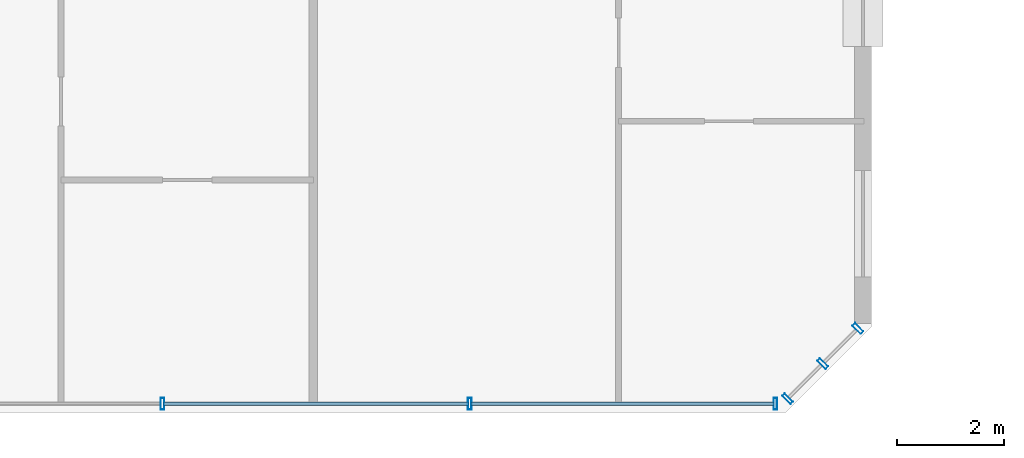
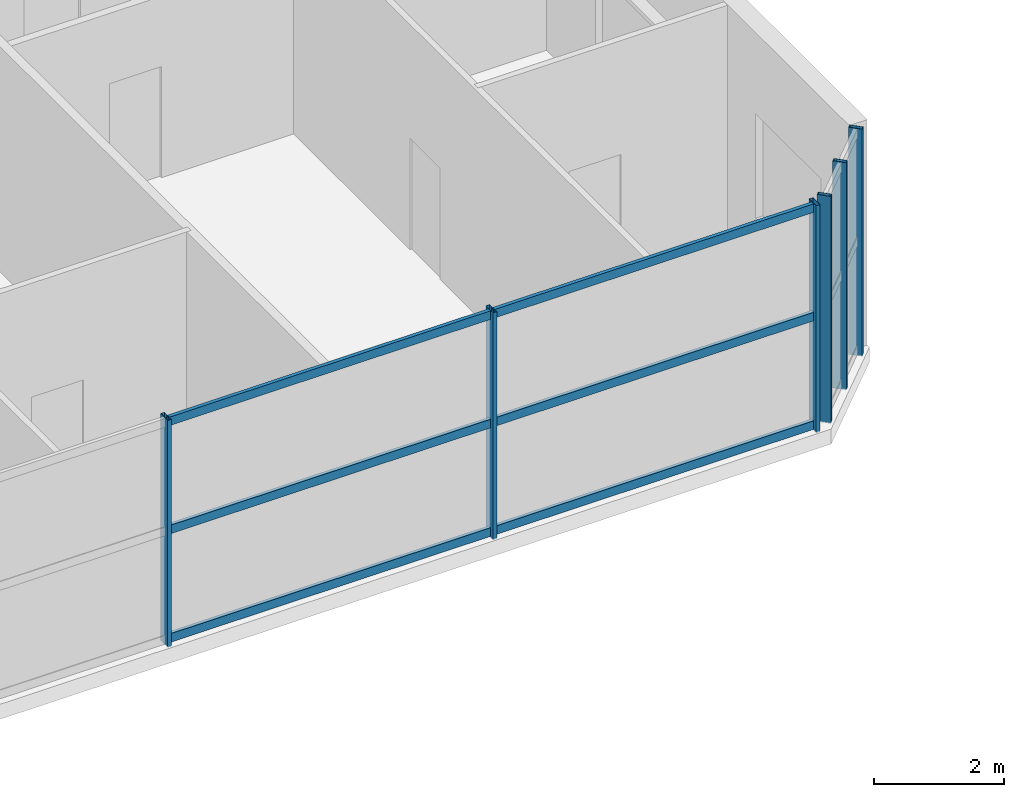
# One storey, part 6 of 20: 12 members, 2 elements without a shape of their own.
"""IFC4 building model written with IfcOpenShell, lengths in metres."""

from ifc_helpers import new_model, si_unit, direction, frame, origin, origin_2d, place, context, subcontext, project, spatial, hollow_rectangle, extrude, source, transform, mapped, material, material_profile, profile_set, type_object, element, aggregate, save


model = new_model("IFC4")

# Units and contexts
model_context = context("Model", 3, precision=1e-05, world=origin(), true_north=direction((0.0, 1.0)))
body_context = subcontext(model_context, "Body", "Model", "MODEL_VIEW")
ifc_project = project(units=[si_unit("LENGTHUNIT", "METRE"), si_unit("AREAUNIT", "SQUARE_METRE"), si_unit("VOLUMEUNIT", "CUBIC_METRE"), si_unit("PLANEANGLEUNIT", "RADIAN"), si_unit("MASSUNIT", "GRAM", prefix="KILO")], contexts=[model_context])

# Site, building, storey
site_placement = place(None, origin())
site = spatial("IfcSite", under=ifc_project, at=site_placement, CompositionType="ELEMENT")
building_placement = place(site_placement, origin())
building = spatial("IfcBuilding", under=site, at=building_placement, Name="Tlacorven Tower", CompositionType="ELEMENT")
storey_placement = place(building_placement, frame((0.0, 0.0, 195.0)))
storey = spatial("IfcBuildingStorey", under=building, at=storey_placement, Name="L49", CompositionType="ELEMENT", Elevation=195.0)

# Curtain wall, members
ifc_material_1 = material(Name="Dark solar low-E double glazing in aluminium frame", Category="aluminium")
curtain_wall_type = type_object("IfcCurtainWallType", Name="CW-COM-AMENITY", PredefinedType="USERDEFINED", material=ifc_material_1)
curtain_wall_1_placement = place(storey_placement, origin())
curtain_wall_1 = element("IfcCurtainWall", 1, at=curtain_wall_1_placement, inside=storey, type_object=curtain_wall_type, Name="L49 CW-COM-AMENITY Curtain Wall 224", ObjectType="UNITISED CURTAIN WALL", PredefinedType="USERDEFINED")
ifc_material_2 = material(Name="Aluminium 6063-T6 anodised", Category="aluminium")
ifc_material_profile_1 = material_profile(ifc_material_2, hollow_rectangle(XDim=0.070068359375, YDim=0.219970703125, WallThickness=0.0048828125, at=origin_2d()), Name="ALU MULLION 70X220")
ifc_profile_set_1 = profile_set([ifc_material_profile_1], Name="Aluminium 6063-T6 anodised")
member_type_1 = type_object("IfcMemberType", Name="CWM-01", PredefinedType="MULLION", material=ifc_profile_set_1)
shared_shape_1 = source(origin(), body_context, "Body", "SweptSolid", [
    extrude(hollow_rectangle(XDim=0.070068359375, YDim=0.219970703125, WallThickness=0.0048828125, at=origin_2d()), origin(), (0.0, 0.0, 1.0), 4.25),
])
member_1_placement = place(storey_placement, frame((52.14453125, 3.370849609375, -0.02001953125), z_axis=(0.0, 0.0, 1.0), x_axis=(-0.707106781187, -0.707106781187, 0.0)))
member_1 = element("IfcMember", 2, at=member_1_placement, type_object=member_type_1, Name="CW-L49-224 Mullion 1", PredefinedType="MULLION", context=body_context, shape_type="MappedRepresentation", body=[
    mapped(shared_shape_1, transform((0.0, 0.0, 0.0), scale=1.0)),
])
member_2_placement = place(storey_placement, frame((51.48681640625, 2.713134765625, -0.02001953125), z_axis=(0.0, 0.0, 1.0), x_axis=(-0.707106781187, -0.707106781187, 0.0)))
member_2 = element("IfcMember", 3, at=member_2_placement, type_object=member_type_1, Name="CW-L49-224 Mullion 2", PredefinedType="MULLION", context=body_context, shape_type="MappedRepresentation", body=[
    mapped(shared_shape_1, transform((0.0, 0.0, 0.0), scale=1.0)),
])
member_3_placement = place(storey_placement, frame((50.8291015625, 2.055419921875, -0.02001953125), z_axis=(0.0, 0.0, 1.0), x_axis=(-0.707106781187, -0.707106781187, 0.0)))
member_3 = element("IfcMember", 4, at=member_3_placement, type_object=member_type_1, Name="CW-L49-224 Mullion 3", PredefinedType="MULLION", context=body_context, shape_type="MappedRepresentation", body=[
    mapped(shared_shape_1, transform((0.0, 0.0, 0.0), scale=1.0)),
])
aggregate(curtain_wall_1, [member_1, member_2, member_3])

curtain_wall_2_placement = place(storey_placement, origin())
curtain_wall_2 = element("IfcCurtainWall", 5, at=curtain_wall_2_placement, inside=storey, type_object=curtain_wall_type, Name="L49 CW-COM-AMENITY Curtain Wall 225", ObjectType="UNITISED CURTAIN WALL", PredefinedType="USERDEFINED")
member_4_placement = place(storey_placement, frame((50.5986328125, 1.9599609375, -0.02001953125), z_axis=(0.0, 0.0, 1.0), x_axis=(-1.0, 0.0, 0.0)))
member_4 = element("IfcMember", 6, at=member_4_placement, type_object=member_type_1, Name="CW-L49-225 Mullion 1", PredefinedType="MULLION", context=body_context, shape_type="MappedRepresentation", body=[
    mapped(shared_shape_1, transform((0.0, 0.0, 0.0), scale=1.0)),
])
member_5_placement = place(storey_placement, frame((44.8779296875, 1.9599609375, -0.02001953125), z_axis=(0.0, 0.0, 1.0), x_axis=(-1.0, 0.0, 0.0)))
member_5 = element("IfcMember", 7, at=member_5_placement, type_object=member_type_1, Name="CW-L49-225 Mullion 2", PredefinedType="MULLION", context=body_context, shape_type="MappedRepresentation", body=[
    mapped(shared_shape_1, transform((0.0, 0.0, 0.0), scale=1.0)),
])
member_6_placement = place(storey_placement, frame((39.1220703125, 1.9599609375, -0.02001953125), z_axis=(0.0, 0.0, 1.0), x_axis=(-1.0, 0.0, 0.0)))
member_6 = element("IfcMember", 8, at=member_6_placement, type_object=member_type_1, Name="CW-L49-225 Mullion 3", PredefinedType="MULLION", context=body_context, shape_type="MappedRepresentation", body=[
    mapped(shared_shape_1, transform((0.0, 0.0, 0.0), scale=1.0)),
])
ifc_material_profile_2 = material_profile(ifc_material_2, hollow_rectangle(XDim=0.06494140625, YDim=0.159912109375, WallThickness=0.00390625, at=origin_2d()), Name="ALU TRANSOM 65X160")
ifc_profile_set_2 = profile_set([ifc_material_profile_2], Name="Aluminium 6063-T6 anodised")
member_type_2 = type_object("IfcMemberType", Name="CWT-01", PredefinedType="USERDEFINED", material=ifc_profile_set_2)
shared_shape_2 = source(origin(), body_context, "Body", "SweptSolid", [
    extrude(hollow_rectangle(XDim=0.06494140625, YDim=0.159912109375, WallThickness=0.00390625, at=origin_2d()), origin(), (0.0, 0.0, 1.0), 5.6748046875),
])
member_7_placement = place(storey_placement, frame((50.57568359375, 1.9599609375, 0.080078125), z_axis=(-1.0, 0.0, 0.0), x_axis=(0.0, -1.0, 0.0)))
member_7 = element("IfcMember", 9, at=member_7_placement, type_object=member_type_2, Name="CW-L49-225 Transom 1", ObjectType="TRANSOM", PredefinedType="USERDEFINED", context=body_context, shape_type="MappedRepresentation", body=[
    mapped(shared_shape_2, transform((0.0, 0.0, 0.0), scale=1.0)),
])
member_8_placement = place(storey_placement, frame((50.57568359375, 1.9599609375, 2.110107421875), z_axis=(-1.0, 0.0, 0.0), x_axis=(0.0, -1.0, 0.0)))
member_8 = element("IfcMember", 10, at=member_8_placement, type_object=member_type_2, Name="CW-L49-225 Transom 2", ObjectType="TRANSOM", PredefinedType="USERDEFINED", context=body_context, shape_type="MappedRepresentation", body=[
    mapped(shared_shape_2, transform((0.0, 0.0, 0.0), scale=1.0)),
])
member_9_placement = place(storey_placement, frame((50.57568359375, 1.9599609375, 4.139892578125), z_axis=(-1.0, 0.0, 0.0), x_axis=(0.0, -1.0, 0.0)))
member_9 = element("IfcMember", 11, at=member_9_placement, type_object=member_type_2, Name="CW-L49-225 Transom 3", ObjectType="TRANSOM", PredefinedType="USERDEFINED", context=body_context, shape_type="MappedRepresentation", body=[
    mapped(shared_shape_2, transform((0.0, 0.0, 0.0), scale=1.0)),
])
shared_shape_3 = source(origin(), body_context, "Body", "SweptSolid", [
    extrude(hollow_rectangle(XDim=0.06494140625, YDim=0.159912109375, WallThickness=0.00390625, at=origin_2d()), origin(), (0.0, 0.0, 1.0), 5.7099609375),
])
member_10_placement = place(storey_placement, frame((44.85498046875, 1.9599609375, 0.080078125), z_axis=(-1.0, 0.0, 0.0), x_axis=(0.0, -1.0, 0.0)))
member_10 = element("IfcMember", 12, at=member_10_placement, type_object=member_type_2, Name="CW-L49-225 Transom 4", ObjectType="TRANSOM", PredefinedType="USERDEFINED", context=body_context, shape_type="MappedRepresentation", body=[
    mapped(shared_shape_3, transform((0.0, 0.0, 0.0), scale=1.0)),
])
member_11_placement = place(storey_placement, frame((44.85498046875, 1.9599609375, 2.110107421875), z_axis=(-1.0, 0.0, 0.0), x_axis=(0.0, -1.0, 0.0)))
member_11 = element("IfcMember", 13, at=member_11_placement, type_object=member_type_2, Name="CW-L49-225 Transom 5", ObjectType="TRANSOM", PredefinedType="USERDEFINED", context=body_context, shape_type="MappedRepresentation", body=[
    mapped(shared_shape_3, transform((0.0, 0.0, 0.0), scale=1.0)),
])
member_12_placement = place(storey_placement, frame((44.85498046875, 1.9599609375, 4.139892578125), z_axis=(-1.0, 0.0, 0.0), x_axis=(0.0, -1.0, 0.0)))
member_12 = element("IfcMember", 14, at=member_12_placement, type_object=member_type_2, Name="CW-L49-225 Transom 6", ObjectType="TRANSOM", PredefinedType="USERDEFINED", context=body_context, shape_type="MappedRepresentation", body=[
    mapped(shared_shape_3, transform((0.0, 0.0, 0.0), scale=1.0)),
])
aggregate(curtain_wall_2, [member_4, member_5, member_6, member_7, member_8, member_9, member_10, member_11, member_12])

save(model, "model.ifc")
